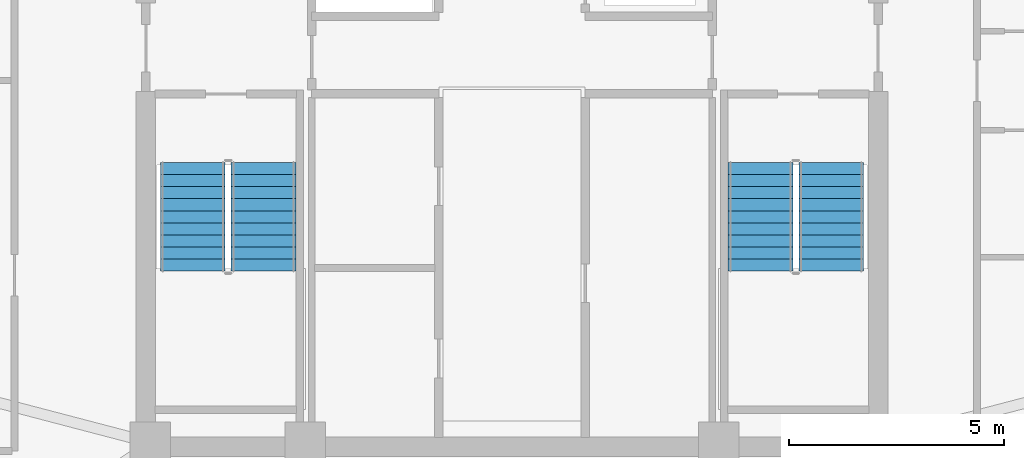
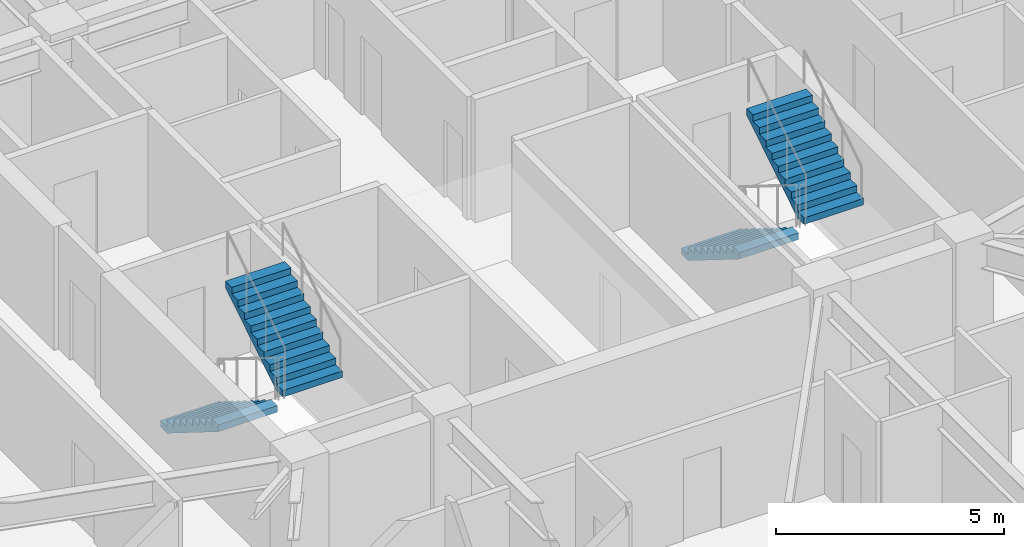
# One storey, part 12 of 17: 4 stair flights, 2 elements without a shape of their own.
"""IFC4 building model written with IfcOpenShell, lengths in metres."""

from ifc_helpers import new_model, si_unit, direction, frame, origin, place, context, subcontext, project, spatial, polyline, outline, extrude, material, type_object, element, aggregate, save


model = new_model("IFC4")

# Units and contexts
model_context = context("Model", 3, precision=1e-05, world=origin(), true_north=direction((0.0, 1.0)))
body_context = subcontext(model_context, "Body", "Model", "MODEL_VIEW")
ifc_project = project(units=[si_unit("LENGTHUNIT", "METRE"), si_unit("AREAUNIT", "SQUARE_METRE"), si_unit("VOLUMEUNIT", "CUBIC_METRE"), si_unit("PLANEANGLEUNIT", "RADIAN"), si_unit("MASSUNIT", "GRAM", prefix="KILO")], contexts=[model_context])

# Site, building, storey
site_placement = place(None, origin())
site = spatial("IfcSite", under=ifc_project, at=site_placement, CompositionType="ELEMENT")
building_placement = place(site_placement, origin())
building = spatial("IfcBuilding", under=site, at=building_placement, Name="Cairnveth Concourse Tower", CompositionType="ELEMENT")
storey_placement = place(building_placement, frame((0.0, 0.0, 213.0)))
storey = spatial("IfcBuildingStorey", under=building, at=storey_placement, Name="L58", CompositionType="ELEMENT", Elevation=213.0)

# Stair, stair flights
ifc_material = material(Name="Precast concrete N50 (50 MPa)", Category="concrete")
stair_type = type_object("IfcStairType", Name="CORE DOG-LEG FIRE STAIR 1500", PredefinedType="HALF_TURN_STAIR", material=ifc_material)
stair_1_placement = place(storey_placement, origin())
stair_1 = element("IfcStair", 1, at=stair_1_placement, inside=storey, type_object=stair_type, Name="L58 Fire-Isolated Stair ST-1", PredefinedType="HALF_TURN_STAIR")
stair_flight_type = type_object("IfcStairFlightType", Name="PRECAST CONCRETE STAIR FLIGHT 1500", PredefinedType="STRAIGHT", material=ifc_material)
stair_flight_1_placement = place(storey_placement, frame((44.590087890625, 37.10009765625, 0.0), z_axis=(0.0, 0.0, 1.0), x_axis=(0.0, -1.0, 0.0)))
stair_flight_1 = element("IfcStairFlight", 2, at=stair_flight_1_placement, type_object=stair_flight_type, Name="ST-1 flight 1", NumberOfRisers=10, NumberOfTreads=9, PredefinedType="STRAIGHT", RiserHeight=0.175, TreadLength=0.28, context=body_context, shape_type="SweptSolid", body=[
    extrude(outline(polyline([(0.0, 0.0), (0.0, 0.175048828125), (0.280029296875, 0.175048828125), (0.280029296875, 0.35009765625), (0.56005859375, 0.35009765625), (0.56005859375, 0.52490234375), (0.840087890625, 0.52490234375), (0.840087890625, 0.699951171875), (1.1201171875, 0.699951171875), (1.1201171875, 0.875), (1.39990234375, 0.875), (1.39990234375, 1.050048828125), (1.679931640625, 1.050048828125), (1.679931640625, 1.22509765625), (1.9599609375, 1.22509765625), (1.9599609375, 1.39990234375), (2.239990234375, 1.39990234375), (2.239990234375, 1.574951171875), (2.52001953125, 1.574951171875), (2.52001953125, 1.75), (2.52001953125, 1.398193359375), (0.28271484375, 0.0), (0.0, 0.0)])), frame((0.0, 0.75, 0.0), z_axis=(0.0, -1.0, 0.0), x_axis=(1.0, 0.0, 0.0)), (0.0, 0.0, 1.0), 1.5),
])
stair_flight_2_placement = place(storey_placement, frame((46.22998046875, 34.580078125, 1.75), z_axis=(0.0, 0.0, 1.0), x_axis=(0.0, 1.0, 0.0)))
stair_flight_2 = element("IfcStairFlight", 3, at=stair_flight_2_placement, type_object=stair_flight_type, Name="ST-1 flight 2", NumberOfRisers=10, NumberOfTreads=9, PredefinedType="STRAIGHT", RiserHeight=0.175, TreadLength=0.28, context=body_context, shape_type="SweptSolid", body=[
    extrude(outline(polyline([(0.0, 0.0), (0.0, 0.175048828125), (0.280029296875, 0.175048828125), (0.280029296875, 0.35009765625), (0.56005859375, 0.35009765625), (0.56005859375, 0.52490234375), (0.840087890625, 0.52490234375), (0.840087890625, 0.699951171875), (1.1201171875, 0.699951171875), (1.1201171875, 0.875), (1.39990234375, 0.875), (1.39990234375, 1.050048828125), (1.679931640625, 1.050048828125), (1.679931640625, 1.22509765625), (1.9599609375, 1.22509765625), (1.9599609375, 1.39990234375), (2.239990234375, 1.39990234375), (2.239990234375, 1.574951171875), (2.52001953125, 1.574951171875), (2.52001953125, 1.75), (2.52001953125, 1.398193359375), (0.28271484375, 0.0), (0.0, 0.0)])), frame((0.0, 0.75, 0.0), z_axis=(0.0, -1.0, 0.0), x_axis=(1.0, 0.0, 0.0)), (0.0, 0.0, 1.0), 1.5),
])
aggregate(stair_1, [stair_flight_1, stair_flight_2])

stair_2_placement = place(storey_placement, origin())
stair_2 = element("IfcStair", 4, at=stair_2_placement, inside=storey, type_object=stair_type, Name="L58 Fire-Isolated Stair ST-2", PredefinedType="HALF_TURN_STAIR")
stair_flight_3_placement = place(storey_placement, frame((57.77001953125, 37.10009765625, 0.0), z_axis=(0.0, 0.0, 1.0), x_axis=(0.0, -1.0, 0.0)))
stair_flight_3 = element("IfcStairFlight", 5, at=stair_flight_3_placement, type_object=stair_flight_type, Name="ST-2 flight 1", NumberOfRisers=10, NumberOfTreads=9, PredefinedType="STRAIGHT", RiserHeight=0.175, TreadLength=0.28, context=body_context, shape_type="SweptSolid", body=[
    extrude(outline(polyline([(0.0, 0.0), (0.0, 0.175048828125), (0.280029296875, 0.175048828125), (0.280029296875, 0.35009765625), (0.56005859375, 0.35009765625), (0.56005859375, 0.52490234375), (0.840087890625, 0.52490234375), (0.840087890625, 0.699951171875), (1.1201171875, 0.699951171875), (1.1201171875, 0.875), (1.39990234375, 0.875), (1.39990234375, 1.050048828125), (1.679931640625, 1.050048828125), (1.679931640625, 1.22509765625), (1.9599609375, 1.22509765625), (1.9599609375, 1.39990234375), (2.239990234375, 1.39990234375), (2.239990234375, 1.574951171875), (2.52001953125, 1.574951171875), (2.52001953125, 1.75), (2.52001953125, 1.398193359375), (0.28271484375, 0.0), (0.0, 0.0)])), frame((0.0, 0.75, 0.0), z_axis=(0.0, -1.0, 0.0), x_axis=(1.0, 0.0, 0.0)), (0.0, 0.0, 1.0), 1.5),
])
stair_flight_4_placement = place(storey_placement, frame((59.409912109375, 34.580078125, 1.75), z_axis=(0.0, 0.0, 1.0), x_axis=(0.0, 1.0, 0.0)))
stair_flight_4 = element("IfcStairFlight", 6, at=stair_flight_4_placement, type_object=stair_flight_type, Name="ST-2 flight 2", NumberOfRisers=10, NumberOfTreads=9, PredefinedType="STRAIGHT", RiserHeight=0.175, TreadLength=0.28, context=body_context, shape_type="SweptSolid", body=[
    extrude(outline(polyline([(0.0, 0.0), (0.0, 0.175048828125), (0.280029296875, 0.175048828125), (0.280029296875, 0.35009765625), (0.56005859375, 0.35009765625), (0.56005859375, 0.52490234375), (0.840087890625, 0.52490234375), (0.840087890625, 0.699951171875), (1.1201171875, 0.699951171875), (1.1201171875, 0.875), (1.39990234375, 0.875), (1.39990234375, 1.050048828125), (1.679931640625, 1.050048828125), (1.679931640625, 1.22509765625), (1.9599609375, 1.22509765625), (1.9599609375, 1.39990234375), (2.239990234375, 1.39990234375), (2.239990234375, 1.574951171875), (2.52001953125, 1.574951171875), (2.52001953125, 1.75), (2.52001953125, 1.398193359375), (0.28271484375, 0.0), (0.0, 0.0)])), frame((0.0, 0.75, 0.0), z_axis=(0.0, -1.0, 0.0), x_axis=(1.0, 0.0, 0.0)), (0.0, 0.0, 1.0), 1.5),
])
aggregate(stair_2, [stair_flight_3, stair_flight_4])

save(model, "model.ifc")
